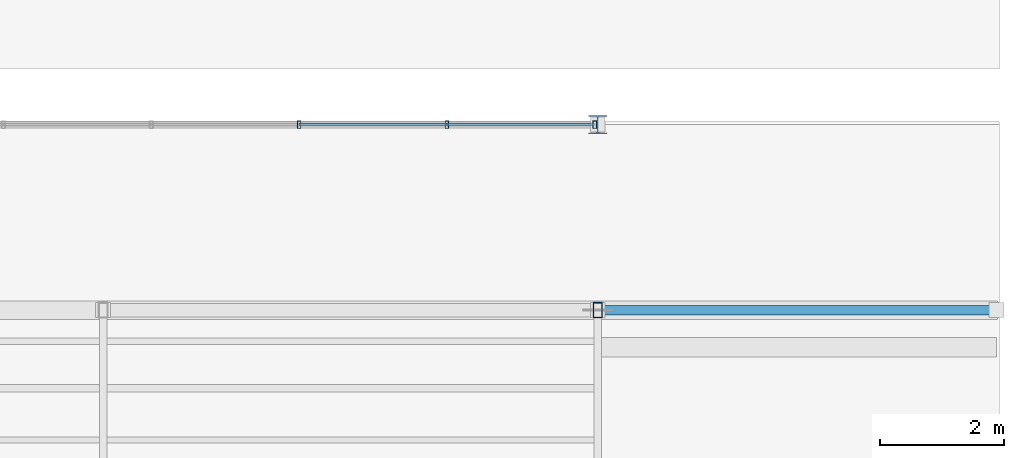
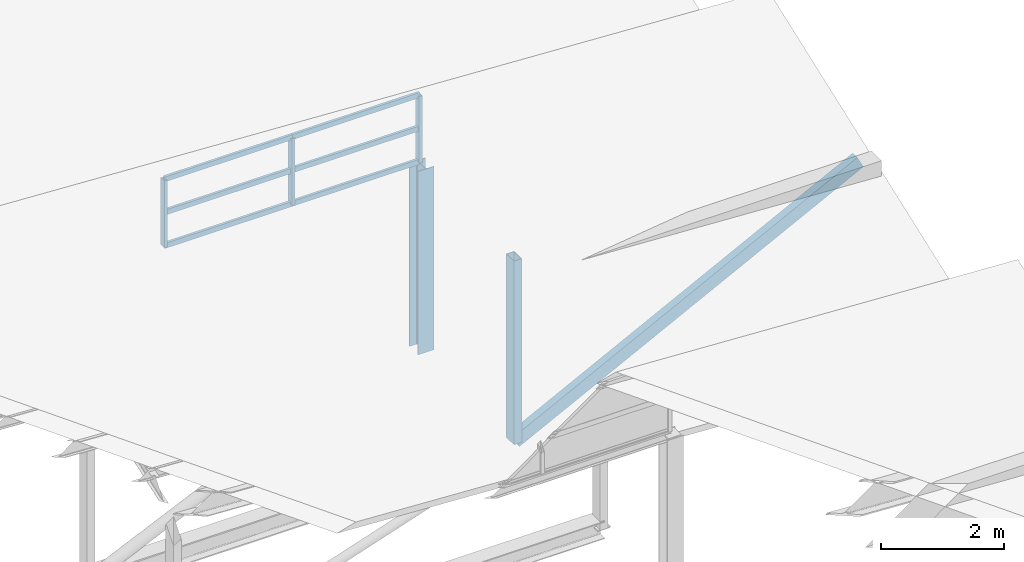
# One storey, part 70 of 141: 12 members, 1 element without a shape of its own.
"""IFC4 building model written with IfcOpenShell, lengths in metres."""

import ifcopenshell
import ifcopenshell.guid

model = None  # the IFC model being written
_history = None  # IfcOwnerHistory: only IFC2X3 demands one
_inside = {}  # id of a spatial element -> (the spatial element, [elements in it])
_under = {}  # id of a project, library or spatial element -> (it, [spatial elements below it])
_declared = {}  # id of a project -> (the project, [libraries it declares])
_typed = {}  # id of a type object -> (the type object, [elements of that type])
_made_of = {}  # id of a material, layer set ... -> (it, [elements and type objects made of it])


def new_model(schema):
    """Start an empty IFC model of exactly this schema.

    Asked for "IFC4X3", IfcOpenShell would pick the latest addendum, in which some entities
    have other attributes; the version numbers below select the first issue.
    IFC2X3 requires an IfcOwnerHistory on every rooted entity: one is made here for all.
    """
    global model, _history
    if schema == "IFC4X3":
        model = ifcopenshell.file(schema_version=(4, 3, 0, 0))
    else:
        model = ifcopenshell.file(schema=schema)
    _inside.clear()
    _under.clear()
    _declared.clear()
    _typed.clear()
    _made_of.clear()
    _history = None
    if model.schema == "IFC2X3":
        org = make("IfcOrganization", Name="unknown")
        user = make(
            "IfcPersonAndOrganization",
            ThePerson=make("IfcPerson", FamilyName="unknown"),
            TheOrganization=org,
        )
        app = make(
            "IfcApplication",
            ApplicationDeveloper=org,
            Version="unknown",
            ApplicationFullName="unknown",
            ApplicationIdentifier="unknown",
        )
        _history = make(
            "IfcOwnerHistory",
            OwningUser=user,
            OwningApplication=app,
            ChangeAction="ADDED",
            CreationDate=0,
        )
    return model


def make(cls, **values):
    """One entity of the class cls with the attributes given. An attribute that is None is left unset."""
    return model.create_entity(
        cls, **{name: value for name, value in values.items() if value is not None}
    )


def rooted(cls, **values):
    """An entity with a GlobalId (a new one), such as an element, a storey or a relation."""
    return make(cls, GlobalId=ifcopenshell.guid.new(), OwnerHistory=_history, **values)


def si_unit(unit_type, name, prefix=None):
    """IfcSIUnit, for example si_unit("LENGTHUNIT", "METRE", prefix="MILLI")."""
    return make("IfcSIUnit", UnitType=unit_type, Prefix=prefix, Name=name)


def assignment(units):
    """IfcUnitAssignment: the units of a project."""
    return None if units is None else make("IfcUnitAssignment", Units=units)


def point(xyz):
    """IfcCartesianPoint."""
    return None if xyz is None else make("IfcCartesianPoint", Coordinates=xyz)


def direction(xyz):
    """IfcDirection."""
    return None if xyz is None else make("IfcDirection", DirectionRatios=xyz)


def frame(location, z_axis=None, x_axis=None):
    """IfcAxis2Placement3D, a coordinate frame: its origin and axes. An axis left out is left unset."""
    return make(
        "IfcAxis2Placement3D",
        Location=point(location),
        Axis=direction(z_axis),
        RefDirection=direction(x_axis),
    )


def frame_2d(location, x_axis=None):
    """IfcAxis2Placement2D, a coordinate frame in the plane: its origin and x axis."""
    return make(
        "IfcAxis2Placement2D", Location=point(location), RefDirection=direction(x_axis)
    )


def origin():
    """The frame at (0, 0, 0) with its axes left unset."""
    return frame((0.0, 0.0, 0.0))


def origin_2d():
    """The frame at (0, 0) in the plane with its x axis left unset."""
    return frame_2d((0.0, 0.0))


def place(relative_to, where):
    """IfcLocalPlacement: puts the frame where relative to a parent placement (None: the world)."""
    return make(
        "IfcLocalPlacement", PlacementRelTo=relative_to, RelativePlacement=where
    )


def context(
    kind, dimensions, precision=None, world=None, true_north=None, identifier=None
):
    """IfcGeometricRepresentationContext, for example the 3D "Model" context."""
    return make(
        "IfcGeometricRepresentationContext",
        ContextIdentifier=identifier,
        ContextType=kind,
        CoordinateSpaceDimension=dimensions,
        Precision=precision,
        WorldCoordinateSystem=world,
        TrueNorth=true_north,
    )


def subcontext(parent, identifier, kind, view, scale=None):
    """IfcGeometricRepresentationSubContext, for example "Body" below "Model"."""
    return make(
        "IfcGeometricRepresentationSubContext",
        ContextIdentifier=identifier,
        ContextType=kind,
        ParentContext=parent,
        TargetScale=scale,
        TargetView=view,
    )


def project(units=None, contexts=None):
    """IfcProject with its units and contexts."""
    return rooted(
        "IfcProject",
        Name="project",
        RepresentationContexts=contexts,
        UnitsInContext=assignment(units),
    )


def spatial(cls, under=None, at=None, **own):
    """A site, building, storey or space (cls), placed at a placement, below another one or the project."""
    s = rooted(cls, ObjectPlacement=at, **own)
    if under is not None:
        _under.setdefault(under.id(), (under, []))[1].append(s)
    return s


def profile(cls, at=None, kind="AREA", **sizes):
    """A parametric profile (cls). Its sizes go by their IFC names, for example OverallWidth=200.0."""
    return make(cls, ProfileType=kind, Position=at, **sizes)


def hollow_rectangle(**sizes):
    """IfcRectangleHollowProfileDef."""
    return profile("IfcRectangleHollowProfileDef", **sizes)


def i_section(**sizes):
    """IfcIShapeProfileDef."""
    return profile("IfcIShapeProfileDef", **sizes)


def extrude(swept, where, along, depth):
    """IfcExtrudedAreaSolid: the profile swept, set in the frame where, extruded along a direction by depth."""
    return make(
        "IfcExtrudedAreaSolid",
        SweptArea=swept,
        Position=where,
        ExtrudedDirection=direction(along),
        Depth=depth,
    )


def shape(context_of_items, identifier, shape_type, items):
    """IfcShapeRepresentation: the items that make up one representation, for example the "Body"."""
    return make(
        "IfcShapeRepresentation",
        ContextOfItems=context_of_items,
        RepresentationIdentifier=identifier,
        RepresentationType=shape_type,
        Items=items,
    )


def material(Name=None, Category=None):
    """IfcMaterial."""
    return make("IfcMaterial", Name=Name, Category=Category)


def material_profile(
    of_material, cross_section, Name=None, Category=None, Priority=None
):
    """IfcMaterialProfile: a cross section and its material."""
    return make(
        "IfcMaterialProfile",
        Name=Name,
        Material=of_material,
        Profile=cross_section,
        Priority=Priority,
        Category=Category,
    )


def profile_set(profiles, Name=None, composite=None):
    """IfcMaterialProfileSet."""
    return make(
        "IfcMaterialProfileSet",
        Name=Name,
        MaterialProfiles=profiles,
        CompositeProfile=composite,
    )


def made_of(thing, what):
    """Note that an element or type object is made of a material, layer set ...; save() writes the relation."""
    if what is not None:
        _made_of.setdefault(what.id(), (what, []))[1].append(thing)
    return thing


def type_object(cls, material=None, **own):
    """A type object (cls), such as IfcWallType, which elements share."""
    return made_of(rooted(cls, **own), material)


def element(
    cls,
    number,
    at=None,
    inside=None,
    cuts=None,
    type_object=None,
    material=None,
    context=None,
    identifier="Body",
    shape_type=None,
    held_by="IfcProductDefinitionShape",
    body=None,
    shapes=None,
    **own,
):
    """One element of the class cls, such as IfcWall. Its Tag is "e" and its number.

    at: its placement. inside: the storey or other place that contains it. cuts: it is an
    opening in that element (IfcRelVoidsElement). A single representation is given by context,
    identifier, shape_type and body (its items); several are given by shapes. held_by: the class
    of the entity that holds the representations. save() writes the other relations.
    """
    e = rooted(cls, Tag="e%d" % number, ObjectPlacement=at, **own)
    if body is not None:
        shapes = [shape(context, identifier, shape_type, body)]
    if shapes is not None:
        e.Representation = make(held_by, Representations=shapes)
    if inside is not None:
        _inside.setdefault(inside.id(), (inside, []))[1].append(e)
    if cuts is not None:
        rooted(
            "IfcRelVoidsElement", RelatingBuildingElement=cuts, RelatedOpeningElement=e
        )
    if type_object is not None:
        _typed.setdefault(type_object.id(), (type_object, []))[1].append(e)
    return made_of(e, material)


def aggregate(whole, parts):
    """IfcRelAggregates: a whole, such as a stair, and the parts it consists of."""
    return rooted("IfcRelAggregates", RelatingObject=whole, RelatedObjects=parts)


def save(model, path):
    """Write the relations noted so far, then the file.

    IfcRelAggregates (storeys below a building ...), IfcRelContainedInSpatialStructure (elements
    in a storey), IfcRelDefinesByType, IfcRelAssociatesMaterial and IfcRelDeclares: one each for
    every whole, place, type object, material and project.
    """
    for whole, parts in _under.values():
        aggregate(whole, parts)
    for where, things in _inside.values():
        rooted(
            "IfcRelContainedInSpatialStructure",
            RelatedElements=things,
            RelatingStructure=where,
        )
    for kind, things in _typed.values():
        rooted("IfcRelDefinesByType", RelatedObjects=things, RelatingType=kind)
    for what, things in _made_of.values():
        rooted("IfcRelAssociatesMaterial", RelatedObjects=things, RelatingMaterial=what)
    for by, libraries in _declared.values():
        rooted("IfcRelDeclares", RelatingContext=by, RelatedDefinitions=libraries)
    model.write(path)


model = new_model("IFC4")

# Units and contexts
model_context = context("Model", 3, precision=1e-05, world=origin(), true_north=direction((0.0, 1.0)))
body_context = subcontext(model_context, "Body", "Model", "MODEL_VIEW")
ifc_project = project(units=[si_unit("LENGTHUNIT", "METRE"), si_unit("AREAUNIT", "SQUARE_METRE"), si_unit("VOLUMEUNIT", "CUBIC_METRE"), si_unit("PLANEANGLEUNIT", "RADIAN"), si_unit("MASSUNIT", "GRAM", prefix="KILO")], contexts=[model_context])

# Site, building, storey
site_placement = place(None, origin())
site = spatial("IfcSite", under=ifc_project, at=site_placement, CompositionType="ELEMENT")
building_placement = place(site_placement, origin())
building = spatial("IfcBuilding", under=site, at=building_placement, Name="Sundkrona Museum", CompositionType="ELEMENT")
storey_placement = place(building_placement, frame((0.0, 0.0, 34.0)))
storey = spatial("IfcBuildingStorey", under=building, at=storey_placement, Name="RF", CompositionType="ELEMENT", Elevation=34.0)

# Member
ifc_material_1 = material(Name="Steel S355J2", Category="steel")
ifc_material_profile_1 = material_profile(ifc_material_1, i_section(OverallWidth=0.300048828125, OverallDepth=0.2900390625, WebThickness=0.008544921875, FlangeThickness=0.013916015625, FilletRadius=0.027099609375, at=origin_2d()), Name="HEA 300")
ifc_profile_set_1 = profile_set([ifc_material_profile_1], Name="Steel S355J2")
member_type_1 = type_object("IfcMemberType", Name="BR-HEA300", PredefinedType="BRACE", material=ifc_profile_set_1)
member_1_placement = place(storey_placement, frame((168.0, 26.5, -0.25), z_axis=(0.0, 0.0, 1.0), x_axis=(1.0, 0.0, 0.0)))
element("IfcMember", 1, at=member_1_placement, inside=storey, type_object=member_type_1, Name="RFS-1 Sawtooth Bay 4 Clerestory Corner Post E", PredefinedType="BRACE", context=body_context, shape_type="SweptSolid", body=[
    extrude(i_section(OverallWidth=0.300048828125, OverallDepth=0.2900390625, WebThickness=0.008544921875, FlangeThickness=0.013916015625, FilletRadius=0.027099609375, at=origin_2d()), origin(), (0.0, 0.0, 1.0), 3.633056640625),
])

# Curtain wall, members
ifc_material_2 = material(Name="Unitised Aluminium-Steel and Ceramic-Clad Curtain Walling", Category="steel")
curtain_wall_type = type_object("IfcCurtainWallType", Name="CW-SW-240x13", PredefinedType="NOTDEFINED", material=ifc_material_2)
curtain_wall_placement = place(storey_placement, origin())
curtain_wall = element("IfcCurtainWall", 2, at=curtain_wall_placement, inside=storey, type_object=curtain_wall_type, Name="Sawtooth Bay 4 East North-Light Clerestory", PredefinedType="NOTDEFINED")
ifc_material_3 = material(Name="Aluminium EN AW-6060 T66", Category="aluminium")
ifc_material_profile_2 = material_profile(ifc_material_3, hollow_rectangle(XDim=0.06005859375, YDim=0.1201171875, WallThickness=0.0048828125, at=origin_2d()), Name="RHS 120x60x5.0")
ifc_profile_set_2 = profile_set([ifc_material_profile_2], Name="Aluminium EN AW-6060 T66")
member_type_2 = type_object("IfcMemberType", Name="ML-120", PredefinedType="MULLION", material=ifc_profile_set_2)
member_2_placement = place(storey_placement, frame((163.169921875, 26.5, 3.472900390625), z_axis=(0.0, 0.0, 1.0), x_axis=(1.0, 0.0, 0.0)))
member_2 = element("IfcMember", 3, at=member_2_placement, type_object=member_type_2, Name="CW-RF-SAW-04E Mullion 09", PredefinedType="MULLION", context=body_context, shape_type="SweptSolid", body=[
    extrude(hollow_rectangle(XDim=0.06005859375, YDim=0.1201171875, WallThickness=0.0048828125, at=origin_2d()), origin(), (0.0, 0.0, 1.0), 1.320068359375),
])
member_3_placement = place(storey_placement, frame((165.56005859375, 26.5, 3.472900390625), z_axis=(0.0, 0.0, 1.0), x_axis=(1.0, 0.0, 0.0)))
member_3 = element("IfcMember", 4, at=member_3_placement, type_object=member_type_2, Name="CW-RF-SAW-04E Mullion 10", PredefinedType="MULLION", context=body_context, shape_type="SweptSolid", body=[
    extrude(hollow_rectangle(XDim=0.06005859375, YDim=0.1201171875, WallThickness=0.0048828125, at=origin_2d()), origin(), (0.0, 0.0, 1.0), 1.320068359375),
])
member_4_placement = place(storey_placement, frame((167.949951171875, 26.5, 3.472900390625), z_axis=(0.0, 0.0, 1.0), x_axis=(1.0, 0.0, 0.0)))
member_4 = element("IfcMember", 5, at=member_4_placement, type_object=member_type_2, Name="CW-RF-SAW-04E Mullion 11", PredefinedType="MULLION", context=body_context, shape_type="SweptSolid", body=[
    extrude(hollow_rectangle(XDim=0.06005859375, YDim=0.1201171875, WallThickness=0.0048828125, at=origin_2d()), origin(), (0.0, 0.0, 1.0), 1.320068359375),
])

# Members
ifc_material_profile_3 = material_profile(ifc_material_1, hollow_rectangle(XDim=0.14990234375, YDim=0.25, WallThickness=0.010009765625, at=origin_2d()), Name="RHS 250x150x10.0")
ifc_profile_set_3 = profile_set([ifc_material_profile_3], Name="Steel S355J2")
member_type_3 = type_object("IfcMemberType", Name="ST-RHS250", PredefinedType="STRUT", material=ifc_profile_set_3)
member_5_placement = place(storey_placement, frame((168.0, 23.5, -0.25), z_axis=(0.890885812321, 0.0, 0.454227332297), x_axis=(0.0, 1.0, 0.0)))
element("IfcMember", 6, at=member_5_placement, inside=storey, type_object=member_type_3, Name="RFS-1 Sawtooth Truss 4 East Knee Strut", PredefinedType="STRUT", context=body_context, shape_type="SweptSolid", body=[
    extrude(hollow_rectangle(XDim=0.14990234375, YDim=0.25, WallThickness=0.010009765625, at=origin_2d()), origin(), (0.0, 0.0, 1.0), 7.239990234375),
])
member_6_placement = place(storey_placement, frame((168.0, 23.5, -0.25), z_axis=(0.0, 0.0, 1.0), x_axis=(1.0, 0.0, 0.0)))
element("IfcMember", 7, at=member_6_placement, inside=storey, type_object=member_type_3, Name="RFS-1 Sawtooth Truss 4 Vertical Post 7", PredefinedType="STRUT", context=body_context, shape_type="SweptSolid", body=[
    extrude(hollow_rectangle(XDim=0.14990234375, YDim=0.25, WallThickness=0.010009765625, at=origin_2d()), origin(), (0.0, 0.0, 1.0), 3.637451171875),
])

# Member
ifc_material_profile_4 = material_profile(ifc_material_3, hollow_rectangle(XDim=0.050048828125, YDim=0.10009765625, WallThickness=0.0048828125, at=origin_2d()), Name="RHS 100x50x5.0")
ifc_profile_set_4 = profile_set([ifc_material_profile_4], Name="Aluminium EN AW-6060 T66")
member_type_4 = type_object("IfcMemberType", Name="TR-100", PredefinedType="USERDEFINED", material=ifc_profile_set_4)
member_7_placement = place(storey_placement, frame((163.169921875, 26.5, 3.472900390625), z_axis=(1.0, 0.0, 0.0), x_axis=(0.0, 1.0, 0.0)))
member_7 = element("IfcMember", 8, at=member_7_placement, type_object=member_type_4, Name="CW-RF-SAW-04E Transom 25", ObjectType="TRANSOM", PredefinedType="USERDEFINED", context=body_context, shape_type="SweptSolid", body=[
    extrude(hollow_rectangle(XDim=0.050048828125, YDim=0.10009765625, WallThickness=0.0048828125, at=origin_2d()), origin(), (0.0, 0.0, 1.0), 2.39013671875),
])

member_8_placement = place(storey_placement, frame((163.169921875, 26.5, 4.133056640625), z_axis=(1.0, 0.0, 0.0), x_axis=(0.0, 1.0, 0.0)))
member_8 = element("IfcMember", 9, at=member_8_placement, type_object=member_type_4, Name="CW-RF-SAW-04E Transom 26", ObjectType="TRANSOM", PredefinedType="USERDEFINED", context=body_context, shape_type="SweptSolid", body=[
    extrude(hollow_rectangle(XDim=0.050048828125, YDim=0.10009765625, WallThickness=0.0048828125, at=origin_2d()), origin(), (0.0, 0.0, 1.0), 2.39013671875),
])

member_9_placement = place(storey_placement, frame((163.169921875, 26.5, 4.79296875), z_axis=(1.0, 0.0, 0.0), x_axis=(0.0, 1.0, 0.0)))
member_9 = element("IfcMember", 10, at=member_9_placement, type_object=member_type_4, Name="CW-RF-SAW-04E Transom 27", ObjectType="TRANSOM", PredefinedType="USERDEFINED", context=body_context, shape_type="SweptSolid", body=[
    extrude(hollow_rectangle(XDim=0.050048828125, YDim=0.10009765625, WallThickness=0.0048828125, at=origin_2d()), origin(), (0.0, 0.0, 1.0), 2.39013671875),
])

member_10_placement = place(storey_placement, frame((165.56005859375, 26.5, 3.472900390625), z_axis=(1.0, 0.0, 0.0), x_axis=(0.0, 1.0, 0.0)))
member_10 = element("IfcMember", 11, at=member_10_placement, type_object=member_type_4, Name="CW-RF-SAW-04E Transom 28", ObjectType="TRANSOM", PredefinedType="USERDEFINED", context=body_context, shape_type="SweptSolid", body=[
    extrude(hollow_rectangle(XDim=0.050048828125, YDim=0.10009765625, WallThickness=0.0048828125, at=origin_2d()), origin(), (0.0, 0.0, 1.0), 2.389892578125),
])

member_11_placement = place(storey_placement, frame((165.56005859375, 26.5, 4.133056640625), z_axis=(1.0, 0.0, 0.0), x_axis=(0.0, 1.0, 0.0)))
member_11 = element("IfcMember", 12, at=member_11_placement, type_object=member_type_4, Name="CW-RF-SAW-04E Transom 29", ObjectType="TRANSOM", PredefinedType="USERDEFINED", context=body_context, shape_type="SweptSolid", body=[
    extrude(hollow_rectangle(XDim=0.050048828125, YDim=0.10009765625, WallThickness=0.0048828125, at=origin_2d()), origin(), (0.0, 0.0, 1.0), 2.389892578125),
])

member_12_placement = place(storey_placement, frame((165.56005859375, 26.5, 4.79296875), z_axis=(1.0, 0.0, 0.0), x_axis=(0.0, 1.0, 0.0)))
member_12 = element("IfcMember", 13, at=member_12_placement, type_object=member_type_4, Name="CW-RF-SAW-04E Transom 30", ObjectType="TRANSOM", PredefinedType="USERDEFINED", context=body_context, shape_type="SweptSolid", body=[
    extrude(hollow_rectangle(XDim=0.050048828125, YDim=0.10009765625, WallThickness=0.0048828125, at=origin_2d()), origin(), (0.0, 0.0, 1.0), 2.389892578125),
])

aggregate(curtain_wall, [member_2, member_3, member_4, member_7, member_8, member_9, member_10, member_11, member_12])

save(model, "model.ifc")
